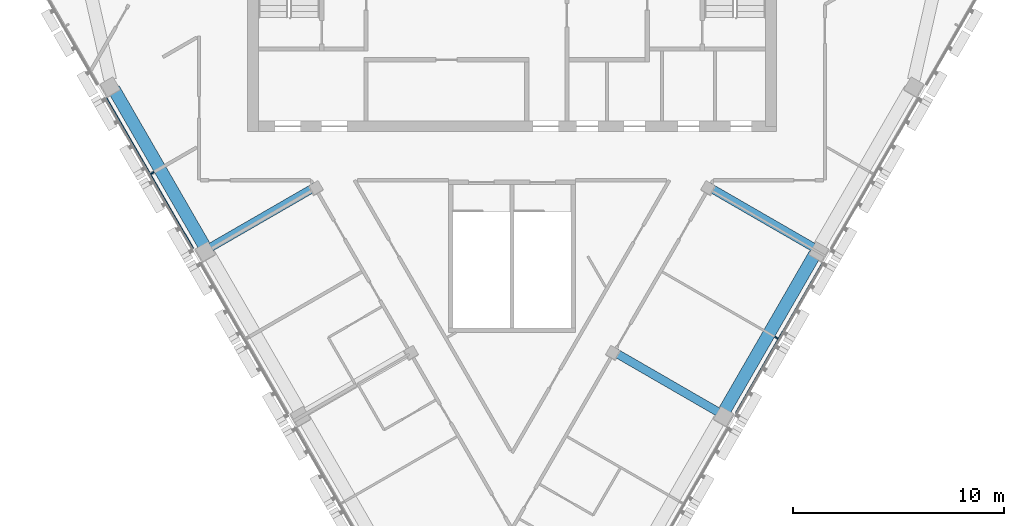
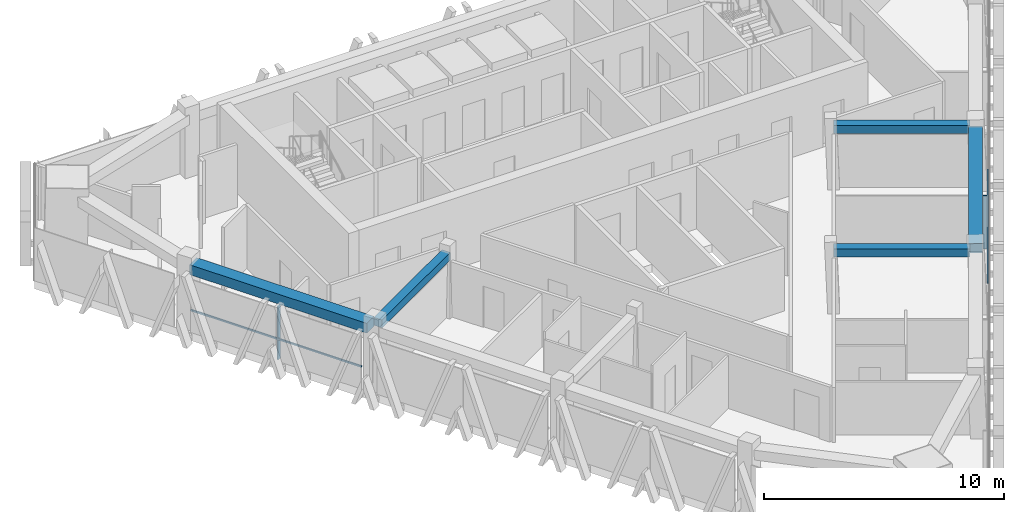
# One storey, part 3 of 12: 5 beams, 4 members, 2 elements without a shape of their own.
"""IFC4 building model written with IfcOpenShell, lengths in metres."""

from ifc_helpers import new_model, si_unit, direction, frame, origin, origin_2d, place, context, subcontext, project, spatial, rectangle, extrude, material, layer, layer_set, material_profile, profile_set, type_object, element, aggregate, save


model = new_model("IFC4")

# Units and contexts
model_context = context("Model", 3, precision=1e-05, world=origin(), true_north=direction((0.0, 1.0)))
body_context = subcontext(model_context, "Body", "Model", "MODEL_VIEW")
ifc_project = project(units=[si_unit("LENGTHUNIT", "METRE"), si_unit("AREAUNIT", "SQUARE_METRE"), si_unit("VOLUMEUNIT", "CUBIC_METRE"), si_unit("PLANEANGLEUNIT", "RADIAN"), si_unit("MASSUNIT", "GRAM", prefix="KILO")], contexts=[model_context])

# Site, building, storey
site_placement = place(None, origin())
site = spatial("IfcSite", under=ifc_project, at=site_placement, CompositionType="ELEMENT")
building_placement = place(site_placement, origin())
building = spatial("IfcBuilding", under=site, at=building_placement, Name="Altiplano Prism Tower", CompositionType="ELEMENT")
storey_placement = place(building_placement, frame((0.0, 0.0, 275.199951171875)))
storey = spatial("IfcBuildingStorey", under=building, at=storey_placement, Name="L71", CompositionType="ELEMENT", Elevation=275.199951171875)

# Curtain wall, member
ifc_material_1 = material(Name="Aluminium and glass", Category="aluminium")
ifc_layer = layer(ifc_material_1, 0.280029296875)
ifc_layer_set = layer_set([ifc_layer], Name="Aluminium and glass")
curtain_wall_type = type_object("IfcCurtainWallType", Name="CW1 typical co-living unitised curtain wall", PredefinedType="NOTDEFINED", material=ifc_layer_set)
curtain_wall_1_placement = place(storey_placement, origin())
curtain_wall_1 = element("IfcCurtainWall", 1, at=curtain_wall_1_placement, inside=storey, type_object=curtain_wall_type, Name="CW1 curtain wall south-west face L71", PredefinedType="NOTDEFINED")
ifc_material_2 = material(Name="Aluminium", Category="aluminium")
ifc_material_profile_1 = material_profile(ifc_material_2, rectangle(XDim=0.179931640625, YDim=0.06494140625, at=origin_2d()), Name="CW1 mullion 65 x 180")
ifc_profile_set_1 = profile_set([ifc_material_profile_1], Name="Aluminium")
member_type_1 = type_object("IfcMemberType", Name="CW1 mullion 65 x 180", PredefinedType="MULLION", material=ifc_profile_set_1)
member_1_placement = place(storey_placement, frame((67.992919921875, 90.941162109375, 0.0), z_axis=(0.0, 0.0, 1.0), x_axis=(0.866025405879, 0.499999996372, 0.0)))
member_1 = element("IfcMember", 2, at=member_1_placement, type_object=member_type_1, Name="CW1 mullion", PredefinedType="MULLION", context=body_context, shape_type="SweptSolid", body=[
    extrude(rectangle(XDim=0.179931640625, YDim=0.06494140625, at=origin_2d()), origin(), (0.0, 0.0, 1.0), 2.699951171875),
])

curtain_wall_2_placement = place(storey_placement, origin())
curtain_wall_2 = element("IfcCurtainWall", 3, at=curtain_wall_2_placement, inside=storey, type_object=curtain_wall_type, Name="CW1 curtain wall south-east face L71", PredefinedType="NOTDEFINED")
member_2_placement = place(storey_placement, frame((97.507080078125, 83.14697265625, 0.0), z_axis=(0.0, 0.0, 1.0), x_axis=(-0.866025405879, 0.499999996372, 0.0)))
member_2 = element("IfcMember", 4, at=member_2_placement, type_object=member_type_1, Name="CW1 mullion", PredefinedType="MULLION", context=body_context, shape_type="SweptSolid", body=[
    extrude(rectangle(XDim=0.179931640625, YDim=0.06494140625, at=origin_2d()), origin(), (0.0, 0.0, 1.0), 2.699951171875),
])

# Member
ifc_material_profile_2 = material_profile(ifc_material_2, rectangle(XDim=0.06005859375, YDim=0.080078125, at=origin_2d()), Name="CW1 transom 80 x 60")
ifc_profile_set_2 = profile_set([ifc_material_profile_2], Name="Aluminium")
member_type_2 = type_object("IfcMemberType", Name="CW1 transom 80 x 60", PredefinedType="USERDEFINED", material=ifc_profile_set_2)
member_3_placement = place(storey_placement, frame((65.814208984375, 94.474853515625, 1.10009765625), z_axis=(0.499991554064, -0.866030279993, 0.0), x_axis=(0.866030279993, 0.499991554064, 0.0)))
member_3 = element("IfcMember", 5, at=member_3_placement, type_object=member_type_2, Name="CW1 transom", ObjectType="TRANSOM", PredefinedType="USERDEFINED", context=body_context, shape_type="SweptSolid", body=[
    extrude(rectangle(XDim=0.06005859375, YDim=0.080078125, at=origin_2d()), origin(), (0.0, 0.0, 1.0), 8.219970703125),
])

aggregate(curtain_wall_1, [member_1, member_3])

member_4_placement = place(storey_placement, frame((95.575927734375, 79.56201171875, 1.10009765625), z_axis=(0.500004415232, 0.866022854634, 0.0), x_axis=(-0.866022854634, 0.500004415232, 0.0)))
member_4 = element("IfcMember", 6, at=member_4_placement, type_object=member_type_2, Name="CW1 transom", ObjectType="TRANSOM", PredefinedType="USERDEFINED", context=body_context, shape_type="SweptSolid", body=[
    extrude(rectangle(XDim=0.06005859375, YDim=0.080078125, at=origin_2d()), origin(), (0.0, 0.0, 1.0), 8.2197265625),
])

aggregate(curtain_wall_2, [member_2, member_4])

# Beams
ifc_material_3 = material(Name="Concrete C60/75", Category="concrete")
ifc_material_profile_3 = material_profile(ifc_material_3, rectangle(XDim=0.60009765625, YDim=0.5, at=origin_2d()), Name="Edge beam 600x500")
ifc_profile_set_3 = profile_set([ifc_material_profile_3], Name="Concrete C60/75")
beam_type_1 = type_object("IfcBeamType", Name="Edge beam 600x500", PredefinedType="SPANDREL", material=ifc_profile_set_3)
for number, where, z_axis, x_axis, name in (
    (7, (66.1630859375, 94.90771484375, 2.949951171875), (0.499994660107, -0.866028486751, 0.0), (0.866028486751, 0.499994660107, 0.0), "Edge beam P11-P12 L72"),
    (8, (95.06689453125, 79.717529296875, 2.949951171875), (0.499994660107, 0.866028486751, 0.0), (-0.866028486751, 0.499994660107, 0.0), "Edge beam P22-P23 L72"),
):
    element("IfcBeam", number, at=place(storey_placement, frame(where, z_axis=z_axis, x_axis=x_axis)), inside=storey, type_object=beam_type_1, Name=name, PredefinedType="SPANDREL", context=body_context, shape_type="SweptSolid", body=[
        extrude(rectangle(XDim=0.60009765625, YDim=0.5, at=origin_2d()), origin(), (0.0, 0.0, 1.0), 8.5400390625),
    ])
ifc_material_profile_4 = material_profile(ifc_material_3, rectangle(XDim=0.39990234375, YDim=0.39990234375, at=origin_2d()), Name="Tie beam 400x400")
ifc_profile_set_4 = profile_set([ifc_material_profile_4], Name="Concrete C60/75")
beam_type_2 = type_object("IfcBeamType", Name="Tie beam 400x400", PredefinedType="BEAM", material=ifc_profile_set_4)
beam_1_placement = place(storey_placement, frame((75.6748046875, 90.272705078125, 3.0), z_axis=(-0.866019095539, -0.500010926042, 0.0), x_axis=(0.500010926042, -0.866019095539, 0.0)))
element("IfcBeam", 9, at=beam_1_placement, inside=storey, type_object=beam_type_2, Name="Tie beam I12 L72", PredefinedType="BEAM", context=body_context, shape_type="SweptSolid", body=[
    extrude(rectangle(XDim=0.39990234375, YDim=0.39990234375, at=origin_2d()), origin(), (0.0, 0.0, 1.0), 5.689697265625),
])
beam_2_placement = place(storey_placement, frame((89.8251953125, 82.478515625, 3.0), z_axis=(0.866000515211, -0.500043105796, 0.0), x_axis=(0.500043105796, 0.866000515211, 0.0)))
element("IfcBeam", 10, at=beam_2_placement, inside=storey, type_object=beam_type_2, Name="Tie beam I22 L72", PredefinedType="BEAM", context=body_context, shape_type="SweptSolid", body=[
    extrude(rectangle(XDim=0.39990234375, YDim=0.39990234375, at=origin_2d()), origin(), (0.0, 0.0, 1.0), 5.68994140625),
])
beam_3_placement = place(storey_placement, frame((94.3251953125, 90.272705078125, 3.0), z_axis=(0.866019095539, -0.500010926042, 0.0), x_axis=(0.500010926042, 0.866019095539, 0.0)))
element("IfcBeam", 11, at=beam_3_placement, inside=storey, type_object=beam_type_2, Name="Tie beam I23 L72", PredefinedType="BEAM", context=body_context, shape_type="SweptSolid", body=[
    extrude(rectangle(XDim=0.39990234375, YDim=0.39990234375, at=origin_2d()), origin(), (0.0, 0.0, 1.0), 5.689697265625),
])

save(model, "model.ifc")
